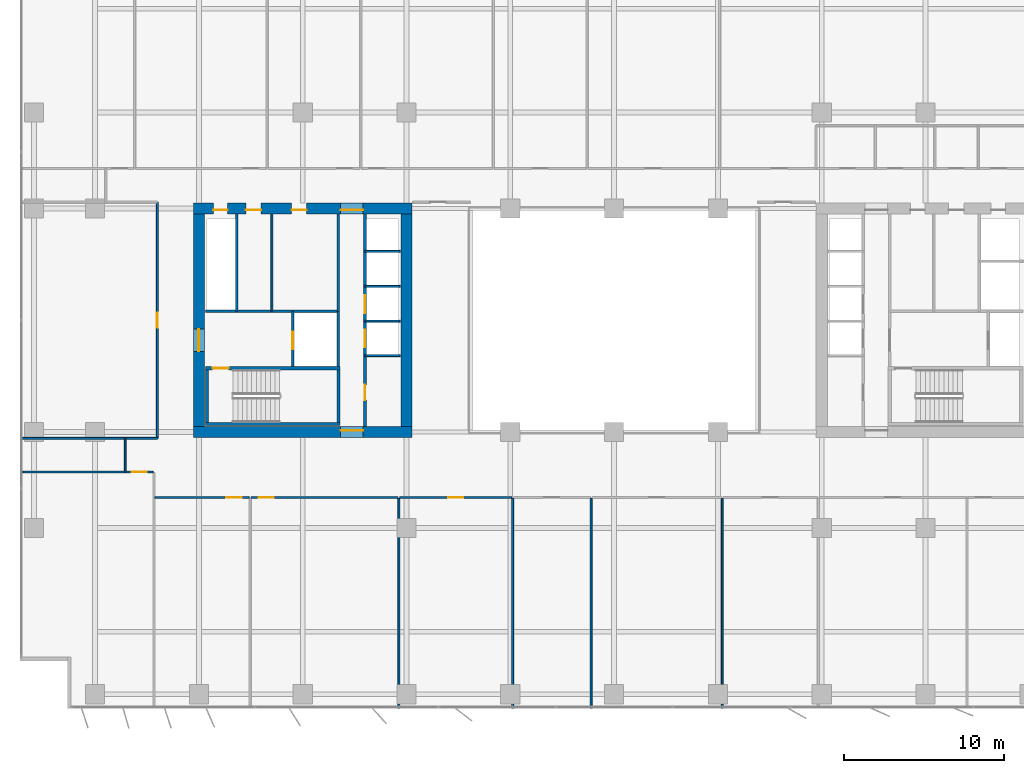
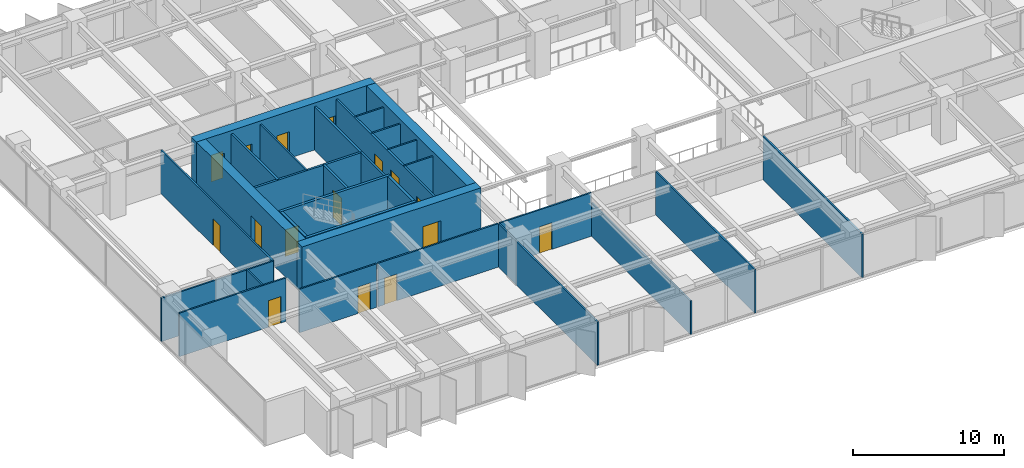
# One storey, part 13 of 20: 30 walls, 16 doors, 16 openings.
"""IFC4 building model written with IfcOpenShell, lengths in metres."""

import ifcopenshell
import ifcopenshell.guid

model = None  # the IFC model being written
_history = None  # IfcOwnerHistory: only IFC2X3 demands one
_inside = {}  # id of a spatial element -> (the spatial element, [elements in it])
_under = {}  # id of a project, library or spatial element -> (it, [spatial elements below it])
_declared = {}  # id of a project -> (the project, [libraries it declares])
_typed = {}  # id of a type object -> (the type object, [elements of that type])
_made_of = {}  # id of a material, layer set ... -> (it, [elements and type objects made of it])


def new_model(schema):
    """Start an empty IFC model of exactly this schema.

    Asked for "IFC4X3", IfcOpenShell would pick the latest addendum, in which some entities
    have other attributes; the version numbers below select the first issue.
    IFC2X3 requires an IfcOwnerHistory on every rooted entity: one is made here for all.
    """
    global model, _history
    if schema == "IFC4X3":
        model = ifcopenshell.file(schema_version=(4, 3, 0, 0))
    else:
        model = ifcopenshell.file(schema=schema)
    _inside.clear()
    _under.clear()
    _declared.clear()
    _typed.clear()
    _made_of.clear()
    _history = None
    if model.schema == "IFC2X3":
        org = make("IfcOrganization", Name="unknown")
        user = make(
            "IfcPersonAndOrganization",
            ThePerson=make("IfcPerson", FamilyName="unknown"),
            TheOrganization=org,
        )
        app = make(
            "IfcApplication",
            ApplicationDeveloper=org,
            Version="unknown",
            ApplicationFullName="unknown",
            ApplicationIdentifier="unknown",
        )
        _history = make(
            "IfcOwnerHistory",
            OwningUser=user,
            OwningApplication=app,
            ChangeAction="ADDED",
            CreationDate=0,
        )
    return model


def make(cls, **values):
    """One entity of the class cls with the attributes given. An attribute that is None is left unset."""
    return model.create_entity(
        cls, **{name: value for name, value in values.items() if value is not None}
    )


def rooted(cls, **values):
    """An entity with a GlobalId (a new one), such as an element, a storey or a relation."""
    return make(cls, GlobalId=ifcopenshell.guid.new(), OwnerHistory=_history, **values)


def si_unit(unit_type, name, prefix=None):
    """IfcSIUnit, for example si_unit("LENGTHUNIT", "METRE", prefix="MILLI")."""
    return make("IfcSIUnit", UnitType=unit_type, Prefix=prefix, Name=name)


def assignment(units):
    """IfcUnitAssignment: the units of a project."""
    return None if units is None else make("IfcUnitAssignment", Units=units)


def point(xyz):
    """IfcCartesianPoint."""
    return None if xyz is None else make("IfcCartesianPoint", Coordinates=xyz)


def direction(xyz):
    """IfcDirection."""
    return None if xyz is None else make("IfcDirection", DirectionRatios=xyz)


def frame(location, z_axis=None, x_axis=None):
    """IfcAxis2Placement3D, a coordinate frame: its origin and axes. An axis left out is left unset."""
    return make(
        "IfcAxis2Placement3D",
        Location=point(location),
        Axis=direction(z_axis),
        RefDirection=direction(x_axis),
    )


def frame_2d(location, x_axis=None):
    """IfcAxis2Placement2D, a coordinate frame in the plane: its origin and x axis."""
    return make(
        "IfcAxis2Placement2D", Location=point(location), RefDirection=direction(x_axis)
    )


def origin():
    """The frame at (0, 0, 0) with its axes left unset."""
    return frame((0.0, 0.0, 0.0))


def place(relative_to, where):
    """IfcLocalPlacement: puts the frame where relative to a parent placement (None: the world)."""
    return make(
        "IfcLocalPlacement", PlacementRelTo=relative_to, RelativePlacement=where
    )


def context(
    kind, dimensions, precision=None, world=None, true_north=None, identifier=None
):
    """IfcGeometricRepresentationContext, for example the 3D "Model" context."""
    return make(
        "IfcGeometricRepresentationContext",
        ContextIdentifier=identifier,
        ContextType=kind,
        CoordinateSpaceDimension=dimensions,
        Precision=precision,
        WorldCoordinateSystem=world,
        TrueNorth=true_north,
    )


def subcontext(parent, identifier, kind, view, scale=None):
    """IfcGeometricRepresentationSubContext, for example "Body" below "Model"."""
    return make(
        "IfcGeometricRepresentationSubContext",
        ContextIdentifier=identifier,
        ContextType=kind,
        ParentContext=parent,
        TargetScale=scale,
        TargetView=view,
    )


def project(units=None, contexts=None):
    """IfcProject with its units and contexts."""
    return rooted(
        "IfcProject",
        Name="project",
        RepresentationContexts=contexts,
        UnitsInContext=assignment(units),
    )


def spatial(cls, under=None, at=None, **own):
    """A site, building, storey or space (cls), placed at a placement, below another one or the project."""
    s = rooted(cls, ObjectPlacement=at, **own)
    if under is not None:
        _under.setdefault(under.id(), (under, []))[1].append(s)
    return s


def profile(cls, at=None, kind="AREA", **sizes):
    """A parametric profile (cls). Its sizes go by their IFC names, for example OverallWidth=200.0."""
    return make(cls, ProfileType=kind, Position=at, **sizes)


def rectangle(**sizes):
    """IfcRectangleProfileDef."""
    return profile("IfcRectangleProfileDef", **sizes)


def extrude(swept, where, along, depth):
    """IfcExtrudedAreaSolid: the profile swept, set in the frame where, extruded along a direction by depth."""
    return make(
        "IfcExtrudedAreaSolid",
        SweptArea=swept,
        Position=where,
        ExtrudedDirection=direction(along),
        Depth=depth,
    )


def shape(context_of_items, identifier, shape_type, items):
    """IfcShapeRepresentation: the items that make up one representation, for example the "Body"."""
    return make(
        "IfcShapeRepresentation",
        ContextOfItems=context_of_items,
        RepresentationIdentifier=identifier,
        RepresentationType=shape_type,
        Items=items,
    )


def material(Name=None, Category=None):
    """IfcMaterial."""
    return make("IfcMaterial", Name=Name, Category=Category)


def layer(
    of_material, thickness, ventilated=None, Name=None, Category=None, Priority=None
):
    """IfcMaterialLayer: one layer of a wall or slab, of a material (None: an air gap)."""
    return make(
        "IfcMaterialLayer",
        Material=of_material,
        LayerThickness=thickness,
        IsVentilated=ventilated,
        Name=Name,
        Category=Category,
        Priority=Priority,
    )


def layer_set(layers, Name=None):
    """IfcMaterialLayerSet."""
    return make("IfcMaterialLayerSet", MaterialLayers=layers, LayerSetName=Name)


def made_of(thing, what):
    """Note that an element or type object is made of a material, layer set ...; save() writes the relation."""
    if what is not None:
        _made_of.setdefault(what.id(), (what, []))[1].append(thing)
    return thing


def type_object(cls, material=None, **own):
    """A type object (cls), such as IfcWallType, which elements share."""
    return made_of(rooted(cls, **own), material)


def element(
    cls,
    number,
    at=None,
    inside=None,
    cuts=None,
    type_object=None,
    material=None,
    context=None,
    identifier="Body",
    shape_type=None,
    held_by="IfcProductDefinitionShape",
    body=None,
    shapes=None,
    **own,
):
    """One element of the class cls, such as IfcWall. Its Tag is "e" and its number.

    at: its placement. inside: the storey or other place that contains it. cuts: it is an
    opening in that element (IfcRelVoidsElement). A single representation is given by context,
    identifier, shape_type and body (its items); several are given by shapes. held_by: the class
    of the entity that holds the representations. save() writes the other relations.
    """
    e = rooted(cls, Tag="e%d" % number, ObjectPlacement=at, **own)
    if body is not None:
        shapes = [shape(context, identifier, shape_type, body)]
    if shapes is not None:
        e.Representation = make(held_by, Representations=shapes)
    if inside is not None:
        _inside.setdefault(inside.id(), (inside, []))[1].append(e)
    if cuts is not None:
        rooted(
            "IfcRelVoidsElement", RelatingBuildingElement=cuts, RelatedOpeningElement=e
        )
    if type_object is not None:
        _typed.setdefault(type_object.id(), (type_object, []))[1].append(e)
    return made_of(e, material)


def fill(opening, filler):
    """IfcRelFillsElement: the door or window that sits in an opening."""
    return rooted(
        "IfcRelFillsElement",
        RelatingOpeningElement=opening,
        RelatedBuildingElement=filler,
    )


def aggregate(whole, parts):
    """IfcRelAggregates: a whole, such as a stair, and the parts it consists of."""
    return rooted("IfcRelAggregates", RelatingObject=whole, RelatedObjects=parts)


def save(model, path):
    """Write the relations noted so far, then the file.

    IfcRelAggregates (storeys below a building ...), IfcRelContainedInSpatialStructure (elements
    in a storey), IfcRelDefinesByType, IfcRelAssociatesMaterial and IfcRelDeclares: one each for
    every whole, place, type object, material and project.
    """
    for whole, parts in _under.values():
        aggregate(whole, parts)
    for where, things in _inside.values():
        rooted(
            "IfcRelContainedInSpatialStructure",
            RelatedElements=things,
            RelatingStructure=where,
        )
    for kind, things in _typed.values():
        rooted("IfcRelDefinesByType", RelatedObjects=things, RelatingType=kind)
    for what, things in _made_of.values():
        rooted("IfcRelAssociatesMaterial", RelatedObjects=things, RelatingMaterial=what)
    for by, libraries in _declared.values():
        rooted("IfcRelDeclares", RelatingContext=by, RelatedDefinitions=libraries)
    model.write(path)


model = new_model("IFC4")

# Units and contexts
model_context = context("Model", 3, precision=1e-05, world=origin(), true_north=direction((0.0, 1.0)))
body_context = subcontext(model_context, "Body", "Model", "MODEL_VIEW")
ifc_project = project(units=[si_unit("LENGTHUNIT", "METRE"), si_unit("AREAUNIT", "SQUARE_METRE"), si_unit("VOLUMEUNIT", "CUBIC_METRE"), si_unit("PLANEANGLEUNIT", "RADIAN"), si_unit("MASSUNIT", "GRAM", prefix="KILO")], contexts=[model_context])

# Site, building, storey
site_placement = place(None, origin())
site = spatial("IfcSite", under=ifc_project, at=site_placement, CompositionType="ELEMENT")
building_placement = place(site_placement, origin())
building = spatial("IfcBuilding", under=site, at=building_placement, Name="Putna Gate Headquarters", CompositionType="ELEMENT")
storey_placement = place(building_placement, frame((0.0, 0.0, 135.39990234375)))
storey = spatial("IfcBuildingStorey", under=building, at=storey_placement, Name="L33", CompositionType="ELEMENT", Elevation=135.39990234375)

# Wall, opening, door
ifc_material_1 = material(Name="Concrete C60/75", Category="concrete")
ifc_layer_1 = layer(ifc_material_1, 0.699951171875)
ifc_layer_set_1 = layer_set([ifc_layer_1], Name="Concrete C60/75")
wall_type_1 = type_object("IfcWallType", Name="WALL-CORE-700", PredefinedType="SHEAR", material=ifc_layer_set_1)
wall_1_placement = place(storey_placement, frame((12.64990234375, 19.0, 0.0), z_axis=(0.0, 0.0, 1.0), x_axis=(1.0, 0.0, 0.0)))
wall_1 = element("IfcWall", 1, at=wall_1_placement, inside=storey, type_object=wall_type_1, Name="L33 WC Split Core Shear Wall S", PredefinedType="SHEAR", context=body_context, shape_type="SweptSolid", body=[
    extrude(rectangle(XDim=13.7001953125, YDim=0.699951171875, at=frame_2d((6.85009765625, 0.0))), origin(), (0.0, 0.0, 1.0), 3.800048828125),
])
opening_1_placement = place(wall_1_placement, frame((9.22998046875, 0.0, 0.0)))
opening_1 = element("IfcOpeningElement", 2, at=opening_1_placement, cuts=wall_1, Name="Opening FDD-140", PredefinedType="OPENING", context=body_context, shape_type="SweptSolid", body=[
    extrude(rectangle(XDim=1.39990234375, YDim=2.199951171875, at=frame_2d((0.699951171875, 1.10009765625))), frame((0.0, 0.35986328125, 0.0), z_axis=(0.0, -1.0, 0.0), x_axis=(1.0, 0.0, 0.0)), (0.0, 0.0, 1.0), 0.719970703125),
])
ifc_material_2 = material(Name="Double steel fire door", Category="steel")
door_type_1 = type_object("IfcDoorType", Name="DOOR-FIRE-DBL-1400", OperationType="DOUBLE_DOOR_SINGLE_SWING", PredefinedType="DOOR", material=ifc_material_2)
door_1_placement = place(opening_1_placement, origin())
door_1 = element("IfcDoor", 3, at=door_1_placement, inside=storey, type_object=door_type_1, Name="L33 West Lift Lobby South Door", OperationType="DOUBLE_DOOR_SINGLE_SWING", OverallHeight=2.199951171875, OverallWidth=1.39990234375, PredefinedType="DOOR", context=body_context, shape_type="SweptSolid", body=[
    extrude(rectangle(XDim=1.39990234375, YDim=2.199951171875, at=frame_2d((0.699951171875, 1.10009765625))), frame((0.0, 0.125, 0.0), z_axis=(0.0, -1.0, 0.0), x_axis=(1.0, 0.0, 0.0)), (0.0, 0.0, 1.0), 0.050048828125),
])
fill(opening_1, door_1)

# Wall, openings, doors
wall_2_placement = place(storey_placement, frame((12.64990234375, 33.0, 0.0), z_axis=(0.0, 0.0, 1.0), x_axis=(1.0, 0.0, 0.0)))
wall_2 = element("IfcWall", 4, at=wall_2_placement, inside=storey, type_object=wall_type_1, Name="L33 WC Split Core Shear Wall N", PredefinedType="SHEAR", context=body_context, shape_type="SweptSolid", body=[
    extrude(rectangle(XDim=13.7001953125, YDim=0.699951171875, at=frame_2d((6.85009765625, 0.0))), origin(), (0.0, 0.0, 1.0), 3.800048828125),
])
opening_2_placement = place(wall_2_placement, frame((1.25, 0.0, 0.0)))
opening_2 = element("IfcOpeningElement", 5, at=opening_2_placement, cuts=wall_2, Name="Opening RD-90", PredefinedType="OPENING", context=body_context, shape_type="SweptSolid", body=[
    extrude(rectangle(XDim=0.89990234375, YDim=2.14990234375, at=frame_2d((0.449951171875, 1.074951171875))), frame((0.0, 0.35986328125, 0.0), z_axis=(0.0, -1.0, 0.0), x_axis=(1.0, 0.0, 0.0)), (0.0, 0.0, 1.0), 0.719970703125),
])
opening_3_placement = place(wall_2_placement, frame((3.300048828125, 0.0, 0.0)))
opening_3 = element("IfcOpeningElement", 6, at=opening_3_placement, cuts=wall_2, Name="Opening IDS-95", PredefinedType="OPENING", context=body_context, shape_type="SweptSolid", body=[
    extrude(rectangle(XDim=0.949951171875, YDim=2.14990234375, at=frame_2d((0.47509765625, 1.074951171875))), frame((0.0, 0.35986328125, 0.0), z_axis=(0.0, -1.0, 0.0), x_axis=(1.0, 0.0, 0.0)), (0.0, 0.0, 1.0), 0.719970703125),
])
opening_4_placement = place(wall_2_placement, frame((6.14990234375, 0.0, 0.0)))
opening_4 = element("IfcOpeningElement", 7, at=opening_4_placement, cuts=wall_2, Name="Opening IDS-95", PredefinedType="OPENING", context=body_context, shape_type="SweptSolid", body=[
    extrude(rectangle(XDim=0.949951171875, YDim=2.14990234375, at=frame_2d((0.47509765625, 1.074951171875))), frame((0.0, 0.35986328125, 0.0), z_axis=(0.0, -1.0, 0.0), x_axis=(1.0, 0.0, 0.0)), (0.0, 0.0, 1.0), 0.719970703125),
])
opening_5_placement = place(wall_2_placement, frame((9.22998046875, 0.0, 0.0)))
opening_5 = element("IfcOpeningElement", 8, at=opening_5_placement, cuts=wall_2, Name="Opening FDD-140", PredefinedType="OPENING", context=body_context, shape_type="SweptSolid", body=[
    extrude(rectangle(XDim=1.39990234375, YDim=2.199951171875, at=frame_2d((0.699951171875, 1.10009765625))), frame((0.0, 0.35986328125, 0.0), z_axis=(0.0, -1.0, 0.0), x_axis=(1.0, 0.0, 0.0)), (0.0, 0.0, 1.0), 0.719970703125),
])
door_2_placement = place(opening_5_placement, origin())
door_2 = element("IfcDoor", 9, at=door_2_placement, inside=storey, type_object=door_type_1, Name="L33 West Lift Lobby North Door", OperationType="DOUBLE_DOOR_SINGLE_SWING", OverallHeight=2.199951171875, OverallWidth=1.39990234375, PredefinedType="DOOR", context=body_context, shape_type="SweptSolid", body=[
    extrude(rectangle(XDim=1.39990234375, YDim=2.199951171875, at=frame_2d((0.699951171875, 1.10009765625))), frame((0.0, -0.0751953125, 0.0), z_axis=(0.0, -1.0, 0.0), x_axis=(1.0, 0.0, 0.0)), (0.0, 0.0, 1.0), 0.050048828125),
])
fill(opening_5, door_2)
ifc_material_3 = material(Name="Fire-rated service timber door", Category="wood")
door_type_2 = type_object("IfcDoorType", Name="DOOR-INT-950", OperationType="NOTDEFINED", PredefinedType="DOOR", material=ifc_material_3)
door_3_placement = place(opening_3_placement, origin())
door_3 = element("IfcDoor", 10, at=door_3_placement, inside=storey, type_object=door_type_2, Name="L33 Archive Store Door", OperationType="SINGLE_SWING_LEFT", OverallHeight=2.14990234375, OverallWidth=0.949951171875, PredefinedType="DOOR", context=body_context, shape_type="SweptSolid", body=[
    extrude(rectangle(XDim=0.949951171875, YDim=2.14990234375, at=frame_2d((0.47509765625, 1.074951171875))), frame((0.0, -0.0751953125, 0.0), z_axis=(0.0, -1.0, 0.0), x_axis=(1.0, 0.0, 0.0)), (0.0, 0.0, 1.0), 0.050048828125),
])
fill(opening_3, door_3)
door_4_placement = place(opening_4_placement, origin())
door_4 = element("IfcDoor", 11, at=door_4_placement, inside=storey, type_object=door_type_2, Name="L33 Switchgear Plant Door", OperationType="SINGLE_SWING_RIGHT", OverallHeight=2.14990234375, OverallWidth=0.949951171875, PredefinedType="DOOR", context=body_context, shape_type="SweptSolid", body=[
    extrude(rectangle(XDim=0.949951171875, YDim=2.14990234375, at=frame_2d((0.47509765625, 1.074951171875))), frame((0.0, -0.0751953125, 0.0), z_axis=(0.0, -1.0, 0.0), x_axis=(1.0, 0.0, 0.0)), (0.0, 0.0, 1.0), 0.050048828125),
])
fill(opening_4, door_4)
ifc_material_4 = material(Name="Steel riser access fire door", Category="steel")
door_type_3 = type_object("IfcDoorType", Name="DOOR-RISER-900", OperationType="NOTDEFINED", PredefinedType="DOOR", material=ifc_material_4)
door_5_placement = place(opening_2_placement, origin())
door_5 = element("IfcDoor", 12, at=door_5_placement, inside=storey, type_object=door_type_3, Name="L33 West Riser Access Door", OperationType="SINGLE_SWING_RIGHT", OverallHeight=2.14990234375, OverallWidth=0.89990234375, PredefinedType="DOOR", context=body_context, shape_type="SweptSolid", body=[
    extrude(rectangle(XDim=0.89990234375, YDim=2.14990234375, at=frame_2d((0.449951171875, 1.074951171875))), frame((0.0, -0.0751953125, 0.0), z_axis=(0.0, -1.0, 0.0), x_axis=(1.0, 0.0, 0.0)), (0.0, 0.0, 1.0), 0.050048828125),
])
fill(opening_2, door_5)

# Wall, opening, door
wall_3_placement = place(storey_placement, frame((13.0, 19.35009765625, 0.0), z_axis=(0.0, 0.0, 1.0), x_axis=(0.0, 1.0, 0.0)))
wall_3 = element("IfcWall", 13, at=wall_3_placement, inside=storey, type_object=wall_type_1, Name="L33 WC Split Core Shear Wall W", PredefinedType="SHEAR", context=body_context, shape_type="SweptSolid", body=[
    extrude(rectangle(XDim=13.2998046875, YDim=0.699951171875, at=frame_2d((6.64990234375, 0.0))), origin(), (0.0, 0.0, 1.0), 3.800048828125),
])
opening_6_placement = place(wall_3_placement, frame((4.699951171875, 0.0, 0.0)))
opening_6 = element("IfcOpeningElement", 14, at=opening_6_placement, cuts=wall_3, Name="Opening FDD-140", PredefinedType="OPENING", context=body_context, shape_type="SweptSolid", body=[
    extrude(rectangle(XDim=1.39990234375, YDim=2.199951171875, at=frame_2d((0.699951171875, 1.10009765625))), frame((0.0, 0.35986328125, 0.0), z_axis=(0.0, -1.0, 0.0), x_axis=(1.0, 0.0, 0.0)), (0.0, 0.0, 1.0), 0.719970703125),
])
door_6_placement = place(opening_6_placement, origin())
door_6 = element("IfcDoor", 15, at=door_6_placement, inside=storey, type_object=door_type_1, Name="L33 West Firefighting Lobby Door", OperationType="DOUBLE_DOOR_SINGLE_SWING", OverallHeight=2.199951171875, OverallWidth=1.39990234375, PredefinedType="DOOR", context=body_context, shape_type="SweptSolid", body=[
    extrude(rectangle(XDim=1.39990234375, YDim=2.199951171875, at=frame_2d((0.699951171875, 1.10009765625))), frame((0.0, 0.02490234375, 0.0), z_axis=(0.0, -1.0, 0.0), x_axis=(1.0, 0.0, 0.0)), (0.0, 0.0, 1.0), 0.050048828125),
])
fill(opening_6, door_6)

# Walls
wall_4_placement = place(storey_placement, frame((26.0, 19.35009765625, 0.0), z_axis=(0.0, 0.0, 1.0), x_axis=(0.0, 1.0, 0.0)))
element("IfcWall", 16, at=wall_4_placement, inside=storey, type_object=wall_type_1, Name="L33 WC Split Core Shear Wall E", PredefinedType="SHEAR", context=body_context, shape_type="SweptSolid", body=[
    extrude(rectangle(XDim=13.2998046875, YDim=0.699951171875, at=frame_2d((6.64990234375, 0.0))), origin(), (0.0, 0.0, 1.0), 3.800048828125),
])
ifc_material_5 = material(Name="Acoustic gypsum board on metal stud")
ifc_layer_2 = layer(ifc_material_5, 0.1201171875)
ifc_layer_set_2 = layer_set([ifc_layer_2], Name="Acoustic gypsum board on metal stud")
wall_type_2 = type_object("IfcWallType", Name="WALL-PART-120", PredefinedType="PARTITIONING", material=ifc_layer_set_2)
wall_5_placement = place(storey_placement, frame((25.524658203125, 1.719970703125, 0.0), z_axis=(0.0, 0.0, 1.0), x_axis=(0.0, 1.0, 0.0)))
element("IfcWall", 17, at=wall_5_placement, inside=storey, type_object=wall_type_2, Name="L33 Interior Wall PART-L33-SB-DIV-03", PredefinedType="PARTITIONING", context=body_context, shape_type="SweptSolid", body=[
    extrude(rectangle(XDim=13.1201171875, YDim=0.1201171875, at=frame_2d((6.56005859375, 0.0))), origin(), (0.0, 0.0, 1.0), 3.52001953125),
])
wall_6_placement = place(storey_placement, frame((32.639892578125, 1.719970703125, 0.0), z_axis=(0.0, 0.0, 1.0), x_axis=(0.0, 1.0, 0.0)))
element("IfcWall", 18, at=wall_6_placement, inside=storey, type_object=wall_type_2, Name="L33 Interior Wall PART-L33-SB-DIV-04", PredefinedType="PARTITIONING", context=body_context, shape_type="SweptSolid", body=[
    extrude(rectangle(XDim=13.1201171875, YDim=0.1201171875, at=frame_2d((6.56005859375, 0.0))), origin(), (0.0, 0.0, 1.0), 2.72021484375),
])
for number, where, z_axis, x_axis, name in (
    (19, (37.55615234375, 1.719970703125, 0.0), (0.0, 0.0, 1.0), (0.0, 1.0, 0.0), "L33 Interior Wall PART-L33-SB-DIV-05"),
    (20, (45.767333984375, 1.719970703125, 0.0), (0.0, 0.0, 1.0), (0.0, 1.0, 0.0), "L33 Interior Wall PART-L33-SB-DIV-06"),
):
    element("IfcWall", number, at=place(storey_placement, frame(where, z_axis=z_axis, x_axis=x_axis)), inside=storey, type_object=wall_type_2, Name=name, PredefinedType="PARTITIONING", context=body_context, shape_type="SweptSolid", body=[
        extrude(rectangle(XDim=13.1201171875, YDim=0.1201171875, at=frame_2d((6.56005859375, 0.0))), origin(), (0.0, 0.0, 1.0), 3.52001953125),
    ])
ifc_material_6 = material(Name="Fire-rated shaftwall gypsum board on metal stud")
ifc_layer_3 = layer(ifc_material_6, 0.1201171875)
ifc_layer_set_3 = layer_set([ifc_layer_3], Name="Fire-rated shaftwall gypsum board on metal stud")
wall_type_3 = type_object("IfcWallType", Name="WALL-PART-120-EI120", PredefinedType="PARTITIONING", material=ifc_layer_set_3)
for number, where, z_axis, x_axis, name in (
    (21, (23.39990234375, 25.949951171875, 0.0), (0.0, 0.0, 1.0), (1.0, 0.0, 0.0), "L33 Interior Wall CWINT-L33-WC-LF05-DIV"),
    (22, (23.39990234375, 28.1201171875, 0.0), (0.0, 0.0, 1.0), (1.0, 0.0, 0.0), "L33 Interior Wall CWINT-L33-WC-LF06-DIV"),
    (23, (23.39990234375, 30.31005859375, 0.0), (0.0, 0.0, 1.0), (1.0, 0.0, 0.0), "L33 Interior Wall CWINT-L33-WC-LF09-DIV"),
):
    element("IfcWall", number, at=place(storey_placement, frame(where, z_axis=z_axis, x_axis=x_axis)), inside=storey, type_object=wall_type_3, Name=name, PredefinedType="PARTITIONING", context=body_context, shape_type="SweptSolid", body=[
        extrude(rectangle(XDim=2.2001953125, YDim=0.1201171875, at=frame_2d((1.10009765625, 0.0))), origin(), (0.0, 0.0, 1.0), 3.52001953125),
    ])
ifc_material_7 = material(Name="Fire-rated gypsum board on metal stud")
ifc_layer_4 = layer(ifc_material_7, 0.1201171875)
ifc_layer_set_4 = layer_set([ifc_layer_4], Name="Fire-rated gypsum board on metal stud")
wall_type_4 = type_object("IfcWallType", Name="WALL-PART-120-RATED", PredefinedType="PARTITIONING", material=ifc_layer_set_4)
wall_7_placement = place(storey_placement, frame((17.570068359375, 26.56005859375, 0.0), z_axis=(0.0, 0.0, 1.0), x_axis=(0.0, 1.0, 0.0)))
element("IfcWall", 24, at=wall_7_placement, inside=storey, type_object=wall_type_4, Name="L33 Interior Wall CWINT-L33-WC-K1-DIV", PredefinedType="PARTITIONING", context=body_context, shape_type="SweptSolid", body=[
    extrude(rectangle(XDim=6.08984375, YDim=0.1201171875, at=frame_2d((3.044921875, 0.0))), origin(), (0.0, 0.0, 1.0), 3.52001953125),
])
wall_8_placement = place(storey_placement, frame((23.39990234375, 23.780029296875, 0.0), z_axis=(0.0, 0.0, 1.0), x_axis=(1.0, 0.0, 0.0)))
element("IfcWall", 25, at=wall_8_placement, inside=storey, type_object=wall_type_4, Name="L33 Interior Wall CWINT-L33-WC-LF02-DIV", PredefinedType="PARTITIONING", context=body_context, shape_type="SweptSolid", body=[
    extrude(rectangle(XDim=2.2001953125, YDim=0.1201171875, at=frame_2d((1.10009765625, 0.0))), origin(), (0.0, 0.0, 1.0), 3.52001953125),
])
wall_9_placement = place(storey_placement, frame((8.39111328125, 16.5, 0.0), z_axis=(0.0, 0.0, 1.0), x_axis=(0.0, 1.0, 0.0)))
element("IfcWall", 26, at=wall_9_placement, inside=storey, type_object=wall_type_4, Name="L33 Interior Wall PART-L33-CORRS-CAPW", PredefinedType="PARTITIONING", context=body_context, shape_type="SweptSolid", body=[
    extrude(rectangle(XDim=2.10009765625, YDim=0.1201171875, at=frame_2d((1.050048828125, 0.0))), origin(), (0.0, 0.0, 1.0), 3.52001953125),
])

# Wall, opening, door
wall_10_placement = place(storey_placement, frame((1.97998046875, 16.5, 0.0), z_axis=(0.0, 0.0, 1.0), x_axis=(1.0, 0.0, 0.0)))
wall_10 = element("IfcWall", 27, at=wall_10_placement, inside=storey, type_object=wall_type_4, Name="L33 Interior Wall PART-L33-SB-CW-01", PredefinedType="PARTITIONING", context=body_context, shape_type="SweptSolid", body=[
    extrude(rectangle(XDim=8.151123046875, YDim=0.1201171875, at=frame_2d((4.07568359375, 0.0))), origin(), (0.0, 0.0, 1.0), 3.52001953125),
])
opening_7_placement = place(wall_10_placement, frame((6.805908203125, 0.0, 0.0)))
opening_7 = element("IfcOpeningElement", 28, at=opening_7_placement, cuts=wall_10, Name="Opening FD-95", PredefinedType="OPENING", context=body_context, shape_type="SweptSolid", body=[
    extrude(rectangle(XDim=0.949951171875, YDim=2.14990234375, at=frame_2d((0.47509765625, 1.074951171875))), frame((0.0, 0.070068359375, 0.0), z_axis=(0.0, -1.0, 0.0), x_axis=(1.0, 0.0, 0.0)), (0.0, 0.0, 1.0), 0.14013671875),
])
ifc_material_8 = material(Name="Acoustic timber fire door", Category="wood")
door_type_4 = type_object("IfcDoorType", Name="DOOR-FIRE-950", OperationType="NOTDEFINED", PredefinedType="DOOR", material=ifc_material_8)
door_7_placement = place(opening_7_placement, origin())
door_7 = element("IfcDoor", 29, at=door_7_placement, inside=storey, type_object=door_type_4, Name="L33 Collaborative Breakout Lounge 2 Door", OperationType="SINGLE_SWING_LEFT", OverallHeight=2.14990234375, OverallWidth=0.949951171875, PredefinedType="DOOR", context=body_context, shape_type="SweptSolid", body=[
    extrude(rectangle(XDim=0.949951171875, YDim=2.14990234375, at=frame_2d((0.47509765625, 1.074951171875))), frame((0.0, 0.02490234375, 0.0), z_axis=(0.0, -1.0, 0.0), x_axis=(1.0, 0.0, 0.0)), (0.0, 0.0, 1.0), 0.050048828125),
])
fill(opening_7, door_7)

wall_11_placement = place(storey_placement, frame((10.2509765625, 14.89990234375, 0.0), z_axis=(0.0, 0.0, 1.0), x_axis=(1.0, 0.0, 0.0)))
wall_11 = element("IfcWall", 30, at=wall_11_placement, inside=storey, type_object=wall_type_4, Name="L33 Interior Wall PART-L33-SB-CW-02", PredefinedType="PARTITIONING", context=body_context, shape_type="SweptSolid", body=[
    extrude(rectangle(XDim=5.8994140625, YDim=0.1201171875, at=frame_2d((2.94970703125, 0.0))), origin(), (0.0, 0.0, 1.0), 3.52001953125),
])
opening_8_placement = place(wall_11_placement, frame((4.469482421875, 0.0, 0.0)))
opening_8 = element("IfcOpeningElement", 31, at=opening_8_placement, cuts=wall_11, Name="Opening FD-95", PredefinedType="OPENING", context=body_context, shape_type="SweptSolid", body=[
    extrude(rectangle(XDim=0.949951171875, YDim=2.14990234375, at=frame_2d((0.47509765625, 1.074951171875))), frame((0.0, 0.070068359375, 0.0), z_axis=(0.0, -1.0, 0.0), x_axis=(1.0, 0.0, 0.0)), (0.0, 0.0, 1.0), 0.14013671875),
])
door_8_placement = place(opening_8_placement, origin())
door_8 = element("IfcDoor", 32, at=door_8_placement, inside=storey, type_object=door_type_4, Name="L33 Cellular Office 3 Door", OperationType="SINGLE_SWING_RIGHT", OverallHeight=2.14990234375, OverallWidth=0.949951171875, PredefinedType="DOOR", context=body_context, shape_type="SweptSolid", body=[
    extrude(rectangle(XDim=0.949951171875, YDim=2.14990234375, at=frame_2d((0.47509765625, 1.074951171875))), frame((0.0, 0.02490234375, 0.0), z_axis=(0.0, -1.0, 0.0), x_axis=(1.0, 0.0, 0.0)), (0.0, 0.0, 1.0), 0.050048828125),
])
fill(opening_8, door_8)

wall_12_placement = place(storey_placement, frame((16.2705078125, 14.89990234375, 0.0), z_axis=(0.0, 0.0, 1.0), x_axis=(1.0, 0.0, 0.0)))
wall_12 = element("IfcWall", 33, at=wall_12_placement, inside=storey, type_object=wall_type_4, Name="L33 Interior Wall PART-L33-SB-CW-03", PredefinedType="PARTITIONING", context=body_context, shape_type="SweptSolid", body=[
    extrude(rectangle(XDim=9.194091796875, YDim=0.1201171875, at=frame_2d((4.59716796875, 0.0))), origin(), (0.0, 0.0, 1.0), 3.52001953125),
])
opening_9_placement = place(wall_12_placement, frame((0.47998046875, 0.0, 0.0)))
opening_9 = element("IfcOpeningElement", 34, at=opening_9_placement, cuts=wall_12, Name="Opening FD-95", PredefinedType="OPENING", context=body_context, shape_type="SweptSolid", body=[
    extrude(rectangle(XDim=0.949951171875, YDim=2.14990234375, at=frame_2d((0.47509765625, 1.074951171875))), frame((0.0, 0.070068359375, 0.0), z_axis=(0.0, -1.0, 0.0), x_axis=(1.0, 0.0, 0.0)), (0.0, 0.0, 1.0), 0.14013671875),
])
door_9_placement = place(opening_9_placement, origin())
door_9 = element("IfcDoor", 35, at=door_9_placement, inside=storey, type_object=door_type_4, Name="L33 Cellular Office 4 Door", OperationType="SINGLE_SWING_LEFT", OverallHeight=2.14990234375, OverallWidth=0.949951171875, PredefinedType="DOOR", context=body_context, shape_type="SweptSolid", body=[
    extrude(rectangle(XDim=0.949951171875, YDim=2.14990234375, at=frame_2d((0.47509765625, 1.074951171875))), frame((0.0, 0.02490234375, 0.0), z_axis=(0.0, -1.0, 0.0), x_axis=(1.0, 0.0, 0.0)), (0.0, 0.0, 1.0), 0.050048828125),
])
fill(opening_9, door_9)

wall_13_placement = place(storey_placement, frame((25.584716796875, 14.89990234375, 0.0), z_axis=(0.0, 0.0, 1.0), x_axis=(1.0, 0.0, 0.0)))
wall_13 = element("IfcWall", 36, at=wall_13_placement, inside=storey, type_object=wall_type_4, Name="L33 Interior Wall PART-L33-SB-CW-04", PredefinedType="PARTITIONING", context=body_context, shape_type="SweptSolid", body=[
    extrude(rectangle(XDim=6.995361328125, YDim=0.1201171875, at=frame_2d((3.49755859375, 0.0))), origin(), (0.0, 0.0, 1.0), 3.52001953125),
])
opening_10_placement = place(wall_13_placement, frame((3.022705078125, 0.0, 0.0)))
opening_10 = element("IfcOpeningElement", 37, at=opening_10_placement, cuts=wall_13, Name="Opening FD-95", PredefinedType="OPENING", context=body_context, shape_type="SweptSolid", body=[
    extrude(rectangle(XDim=0.949951171875, YDim=2.14990234375, at=frame_2d((0.47509765625, 1.074951171875))), frame((0.0, 0.070068359375, 0.0), z_axis=(0.0, -1.0, 0.0), x_axis=(1.0, 0.0, 0.0)), (0.0, 0.0, 1.0), 0.14013671875),
])
door_10_placement = place(opening_10_placement, origin())
door_10 = element("IfcDoor", 38, at=door_10_placement, inside=storey, type_object=door_type_4, Name="L33 Conference Meeting Room 1 Door", OperationType="SINGLE_SWING_RIGHT", OverallHeight=2.14990234375, OverallWidth=0.949951171875, PredefinedType="DOOR", context=body_context, shape_type="SweptSolid", body=[
    extrude(rectangle(XDim=0.949951171875, YDim=2.14990234375, at=frame_2d((0.47509765625, 1.074951171875))), frame((0.0, 0.02490234375, 0.0), z_axis=(0.0, -1.0, 0.0), x_axis=(1.0, 0.0, 0.0)), (0.0, 0.0, 1.0), 0.050048828125),
])
fill(opening_10, door_10)

# Wall
wall_14_placement = place(storey_placement, frame((1.820068359375, 18.60009765625, 0.0), z_axis=(0.0, 0.0, 1.0), x_axis=(1.0, 0.0, 0.0)))
element("IfcWall", 39, at=wall_14_placement, inside=storey, type_object=wall_type_4, Name="L33 Interior Wall PART-L33-WW-S-BOUND", PredefinedType="PARTITIONING", context=body_context, shape_type="SweptSolid", body=[
    extrude(rectangle(XDim=8.579833984375, YDim=0.1201171875, at=frame_2d((4.2900390625, 0.0))), origin(), (0.0, 0.0, 1.0), 3.52001953125),
])

# Wall, opening, door
wall_15_placement = place(storey_placement, frame((10.39990234375, 18.60009765625, 0.0), z_axis=(0.0, 0.0, 1.0), x_axis=(0.0, 1.0, 0.0)))
wall_15 = element("IfcWall", 40, at=wall_15_placement, inside=storey, type_object=wall_type_4, Name="L33 Interior Wall PART-L33-WW-CW-1", PredefinedType="PARTITIONING", context=body_context, shape_type="SweptSolid", body=[
    extrude(rectangle(XDim=14.7998046875, YDim=0.1201171875, at=frame_2d((7.39990234375, 0.0))), origin(), (0.0, 0.0, 1.0), 3.52001953125),
])
opening_11_placement = place(wall_15_placement, frame((6.925048828125, 0.0, 0.0)))
opening_11 = element("IfcOpeningElement", 41, at=opening_11_placement, cuts=wall_15, Name="Opening FD-95", PredefinedType="OPENING", context=body_context, shape_type="SweptSolid", body=[
    extrude(rectangle(XDim=0.949951171875, YDim=2.14990234375, at=frame_2d((0.47509765625, 1.074951171875))), frame((0.0, 0.070068359375, 0.0), z_axis=(0.0, -1.0, 0.0), x_axis=(1.0, 0.0, 0.0)), (0.0, 0.0, 1.0), 0.14013671875),
])
door_11_placement = place(opening_11_placement, origin())
door_11 = element("IfcDoor", 42, at=door_11_placement, inside=storey, type_object=door_type_4, Name="L33 West Project Meeting Room 1 Door", OperationType="SINGLE_SWING_LEFT", OverallHeight=2.14990234375, OverallWidth=0.949951171875, PredefinedType="DOOR", context=body_context, shape_type="SweptSolid", body=[
    extrude(rectangle(XDim=0.949951171875, YDim=2.14990234375, at=frame_2d((0.47509765625, 1.074951171875))), frame((0.0, 0.02490234375, 0.0), z_axis=(0.0, -1.0, 0.0), x_axis=(1.0, 0.0, 0.0)), (0.0, 0.0, 1.0), 0.050048828125),
])
fill(opening_11, door_11)

# Wall
ifc_material_9 = material(Name="Concrete C40/50", Category="concrete")
ifc_layer_5 = layer(ifc_material_9, 0.159912109375)
ifc_layer_set_5 = layer_set([ifc_layer_5], Name="Concrete C40/50")
wall_type_5 = type_object("IfcWallType", Name="WALL-SHAFT-160", PredefinedType="STANDARD", material=ifc_layer_set_5)
wall_16_placement = place(storey_placement, frame((21.739990234375, 23.090087890625, 0.0), z_axis=(0.0, 0.0, 1.0), x_axis=(0.0, 1.0, 0.0)))
element("IfcWall", 43, at=wall_16_placement, inside=storey, type_object=wall_type_5, Name="L33 Interior Wall CWINT-L33-WC-FFL-E", PredefinedType="STANDARD", context=body_context, shape_type="SweptSolid", body=[
    extrude(rectangle(XDim=3.469970703125, YDim=0.159912109375, at=frame_2d((1.73486328125, 0.0))), origin(), (0.0, 0.0, 1.0), 3.52001953125),
])

# Wall, opening, door
wall_17_placement = place(storey_placement, frame((18.8798828125, 23.090087890625, 0.0), z_axis=(0.0, 0.0, 1.0), x_axis=(0.0, 1.0, 0.0)))
wall_17 = element("IfcWall", 44, at=wall_17_placement, inside=storey, type_object=wall_type_5, Name="L33 Interior Wall CWINT-L33-WC-LF13-W", PredefinedType="STANDARD", context=body_context, shape_type="SweptSolid", body=[
    extrude(rectangle(XDim=3.469970703125, YDim=0.159912109375, at=frame_2d((1.73486328125, 0.0))), origin(), (0.0, 0.0, 1.0), 3.52001953125),
])
opening_12_placement = place(wall_17_placement, frame((1.10009765625, 0.0, 0.0)))
opening_12 = element("IfcOpeningElement", 45, at=opening_12_placement, cuts=wall_17, Name="Opening LD-1", PredefinedType="OPENING", context=body_context, shape_type="SweptSolid", body=[
    extrude(rectangle(XDim=1.10009765625, YDim=2.199951171875, at=frame_2d((0.550048828125, 1.10009765625))), frame((0.0, 0.08984375, 0.0), z_axis=(0.0, -1.0, 0.0), x_axis=(1.0, 0.0, 0.0)), (0.0, 0.0, 1.0), 0.179931640625),
])
ifc_material_10 = material(Name="Brushed bronze stainless lift landing door")
door_type_5 = type_object("IfcDoorType", Name="DOOR-LIFT-1100", OperationType="DOUBLE_DOOR_SLIDING", PredefinedType="DOOR", material=ifc_material_10)
door_12_placement = place(opening_12_placement, origin())
door_12 = element("IfcDoor", 46, at=door_12_placement, inside=storey, type_object=door_type_5, Name="L33 Lift Landing Door LD-13", OperationType="DOUBLE_DOOR_SLIDING", OverallHeight=2.199951171875, OverallWidth=1.10009765625, PredefinedType="DOOR", context=body_context, shape_type="SweptSolid", body=[
    extrude(rectangle(XDim=1.10009765625, YDim=2.199951171875, at=frame_2d((0.550048828125, 1.10009765625))), frame((0.0, 0.02490234375, 0.0), z_axis=(0.0, -1.0, 0.0), x_axis=(1.0, 0.0, 0.0)), (0.0, 0.0, 1.0), 0.050048828125),
])
fill(opening_12, door_12)

# Walls
wall_18_placement = place(storey_placement, frame((13.39990234375, 26.56005859375, 0.0), z_axis=(0.0, 0.0, 1.0), x_axis=(1.0, 0.0, 0.0)))
element("IfcWall", 47, at=wall_18_placement, inside=storey, type_object=wall_type_5, Name="L33 Interior Wall CWINT-L33-WC-FFL-N", PredefinedType="STANDARD", context=body_context, shape_type="SweptSolid", body=[
    extrude(rectangle(XDim=8.340087890625, YDim=0.159912109375, at=frame_2d((4.169921875, 0.0))), origin(), (0.0, 0.0, 1.0), 3.52001953125),
])
for number, where, z_axis, x_axis, name in (
    (48, (15.3798828125, 26.56005859375, 0.0), (0.0, 0.0, 1.0), (0.0, 1.0, 0.0), "L33 Interior Wall CWINT-L33-WC-RISER-E"),
    (49, (21.739990234375, 26.56005859375, 0.0), (0.0, 0.0, 1.0), (0.0, 1.0, 0.0), "L33 Interior Wall CWINT-L33-WC-LOB-W"),
):
    element("IfcWall", number, at=place(storey_placement, frame(where, z_axis=z_axis, x_axis=x_axis)), inside=storey, type_object=wall_type_5, Name=name, PredefinedType="STANDARD", context=body_context, shape_type="SweptSolid", body=[
        extrude(rectangle(XDim=6.08984375, YDim=0.159912109375, at=frame_2d((3.044921875, 0.0))), origin(), (0.0, 0.0, 1.0), 3.52001953125),
    ])

# Wall, openings, doors
wall_19_placement = place(storey_placement, frame((23.39990234375, 19.35009765625, 0.0), z_axis=(0.0, 0.0, 1.0), x_axis=(0.0, 1.0, 0.0)))
wall_19 = element("IfcWall", 50, at=wall_19_placement, inside=storey, type_object=wall_type_5, Name="L33 Interior Wall CWINT-L33-WC-PL-WALL", PredefinedType="STANDARD", context=body_context, shape_type="SweptSolid", body=[
    extrude(rectangle(XDim=13.2998046875, YDim=0.159912109375, at=frame_2d((6.64990234375, 0.0))), origin(), (0.0, 0.0, 1.0), 3.52001953125),
])
opening_13_placement = place(wall_19_placement, frame((1.64990234375, 0.0, 0.0)))
opening_13 = element("IfcOpeningElement", 51, at=opening_13_placement, cuts=wall_19, Name="Opening IDS-95", PredefinedType="OPENING", context=body_context, shape_type="SweptSolid", body=[
    extrude(rectangle(XDim=0.949951171875, YDim=2.14990234375, at=frame_2d((0.47509765625, 1.074951171875))), frame((0.0, 0.08984375, 0.0), z_axis=(0.0, -1.0, 0.0), x_axis=(1.0, 0.0, 0.0)), (0.0, 0.0, 1.0), 0.179931640625),
])
opening_14_placement = place(wall_19_placement, frame((4.949951171875, 0.0, 0.0)))
opening_14 = element("IfcOpeningElement", 52, at=opening_14_placement, cuts=wall_19, Name="Opening LD-1", PredefinedType="OPENING", context=body_context, shape_type="SweptSolid", body=[
    extrude(rectangle(XDim=1.10009765625, YDim=2.199951171875, at=frame_2d((0.550048828125, 1.10009765625))), frame((0.0, 0.08984375, 0.0), z_axis=(0.0, -1.0, 0.0), x_axis=(1.0, 0.0, 0.0)), (0.0, 0.0, 1.0), 0.179931640625),
])
opening_15_placement = place(wall_19_placement, frame((7.10009765625, 0.0, 0.0)))
opening_15 = element("IfcOpeningElement", 53, at=opening_15_placement, cuts=wall_19, Name="Opening LD-1", PredefinedType="OPENING", context=body_context, shape_type="SweptSolid", body=[
    extrude(rectangle(XDim=1.10009765625, YDim=2.199951171875, at=frame_2d((0.550048828125, 1.10009765625))), frame((0.0, 0.08984375, 0.0), z_axis=(0.0, -1.0, 0.0), x_axis=(1.0, 0.0, 0.0)), (0.0, 0.0, 1.0), 0.179931640625),
])
door_13_placement = place(opening_13_placement, origin())
door_13 = element("IfcDoor", 54, at=door_13_placement, inside=storey, type_object=door_type_2, Name="L33 Document Archive Door", OperationType="SINGLE_SWING_LEFT", OverallHeight=2.14990234375, OverallWidth=0.949951171875, PredefinedType="DOOR", context=body_context, shape_type="SweptSolid", body=[
    extrude(rectangle(XDim=0.949951171875, YDim=2.14990234375, at=frame_2d((0.47509765625, 1.074951171875))), frame((0.0, 0.02490234375, 0.0), z_axis=(0.0, -1.0, 0.0), x_axis=(1.0, 0.0, 0.0)), (0.0, 0.0, 1.0), 0.050048828125),
])
fill(opening_13, door_13)
door_14_placement = place(opening_14_placement, origin())
door_14 = element("IfcDoor", 55, at=door_14_placement, inside=storey, type_object=door_type_5, Name="L33 Lift Landing Door LD-05", OperationType="DOUBLE_DOOR_SLIDING", OverallHeight=2.199951171875, OverallWidth=1.10009765625, PredefinedType="DOOR", context=body_context, shape_type="SweptSolid", body=[
    extrude(rectangle(XDim=1.10009765625, YDim=2.199951171875, at=frame_2d((0.550048828125, 1.10009765625))), frame((0.0, 0.02490234375, 0.0), z_axis=(0.0, -1.0, 0.0), x_axis=(1.0, 0.0, 0.0)), (0.0, 0.0, 1.0), 0.050048828125),
])
fill(opening_14, door_14)
door_15_placement = place(opening_15_placement, origin())
door_15 = element("IfcDoor", 56, at=door_15_placement, inside=storey, type_object=door_type_5, Name="L33 Lift Landing Door LD-06", OperationType="DOUBLE_DOOR_SLIDING", OverallHeight=2.199951171875, OverallWidth=1.10009765625, PredefinedType="DOOR", context=body_context, shape_type="SweptSolid", body=[
    extrude(rectangle(XDim=1.10009765625, YDim=2.199951171875, at=frame_2d((0.550048828125, 1.10009765625))), frame((0.0, 0.02490234375, 0.0), z_axis=(0.0, -1.0, 0.0), x_axis=(1.0, 0.0, 0.0)), (0.0, 0.0, 1.0), 0.050048828125),
])
fill(opening_15, door_15)

# Wall
ifc_layer_6 = layer(ifc_material_9, 0.199951171875)
ifc_layer_set_6 = layer_set([ifc_layer_6], Name="Concrete C40/50")
wall_type_6 = type_object("IfcWallType", Name="WALL-SHAFT-RC200", PredefinedType="SHEAR", material=ifc_layer_set_6)
wall_20_placement = place(storey_placement, frame((13.409912109375, 19.510009765625, 0.0), z_axis=(0.0, 0.0, 1.0), x_axis=(1.0, 0.0, 0.0)))
element("IfcWall", 57, at=wall_20_placement, inside=storey, type_object=wall_type_6, Name="L33 Stair ST1 Structural Shaft Wall S", PredefinedType="SHEAR", context=body_context, shape_type="SweptSolid", body=[
    extrude(rectangle(XDim=8.43017578125, YDim=0.199951171875, at=frame_2d((4.215087890625, 0.0))), origin(), (0.0, 0.0, 1.0), 3.800048828125),
])

# Wall, opening, door
wall_21_placement = place(storey_placement, frame((13.409912109375, 22.989990234375, 0.0), z_axis=(0.0, 0.0, 1.0), x_axis=(1.0, 0.0, 0.0)))
wall_21 = element("IfcWall", 58, at=wall_21_placement, inside=storey, type_object=wall_type_6, Name="L33 Stair ST1 Structural Shaft Wall N", PredefinedType="SHEAR", context=body_context, shape_type="SweptSolid", body=[
    extrude(rectangle(XDim=8.43017578125, YDim=0.199951171875, at=frame_2d((4.215087890625, 0.0))), origin(), (0.0, 0.0, 1.0), 3.800048828125),
])
opening_16_placement = place(wall_21_placement, frame((0.449951171875, 0.0, 0.0)))
opening_16 = element("IfcOpeningElement", 59, at=opening_16_placement, cuts=wall_21, Name="Opening FD-100", PredefinedType="OPENING", context=body_context, shape_type="SweptSolid", body=[
    extrude(rectangle(XDim=1.0, YDim=2.14990234375, at=frame_2d((0.5, 1.074951171875))), frame((0.0, 0.10986328125, 0.0), z_axis=(0.0, -1.0, 0.0), x_axis=(1.0, 0.0, 0.0)), (0.0, 0.0, 1.0), 0.219970703125),
])
ifc_material_11 = material(Name="Powder-coated steel fire door", Category="steel")
door_type_6 = type_object("IfcDoorType", Name="DOOR-FIRE-1000", OperationType="NOTDEFINED", PredefinedType="DOOR", material=ifc_material_11)
door_16_placement = place(opening_16_placement, origin())
door_16 = element("IfcDoor", 60, at=door_16_placement, inside=storey, type_object=door_type_6, Name="L33 Stair ST1 Fire Door", OperationType="SINGLE_SWING_LEFT", OverallHeight=2.14990234375, OverallWidth=1.0, PredefinedType="DOOR", context=body_context, shape_type="SweptSolid", body=[
    extrude(rectangle(XDim=1.0, YDim=2.14990234375, at=frame_2d((0.5, 1.074951171875))), frame((0.0, 0.02490234375, 0.0), z_axis=(0.0, -1.0, 0.0), x_axis=(1.0, 0.0, 0.0)), (0.0, 0.0, 1.0), 0.050048828125),
])
fill(opening_16, door_16)

# Walls
for number, where, z_axis, x_axis, name in (
    (61, (13.510009765625, 19.610107421875, 0.0), (0.0, 0.0, 1.0), (0.0, 1.0, 0.0), "L33 Stair ST1 Structural Shaft Wall W"),
    (62, (21.739990234375, 19.610107421875, 0.0), (0.0, 0.0, 1.0), (0.0, 1.0, 0.0), "L33 Stair ST1 Structural Shaft Wall E"),
):
    element("IfcWall", number, at=place(storey_placement, frame(where, z_axis=z_axis, x_axis=x_axis)), inside=storey, type_object=wall_type_6, Name=name, PredefinedType="SHEAR", context=body_context, shape_type="SweptSolid", body=[
        extrude(rectangle(XDim=3.27978515625, YDim=0.199951171875, at=frame_2d((1.639892578125, 0.0))), origin(), (0.0, 0.0, 1.0), 3.800048828125),
    ])

save(model, "model.ifc")
